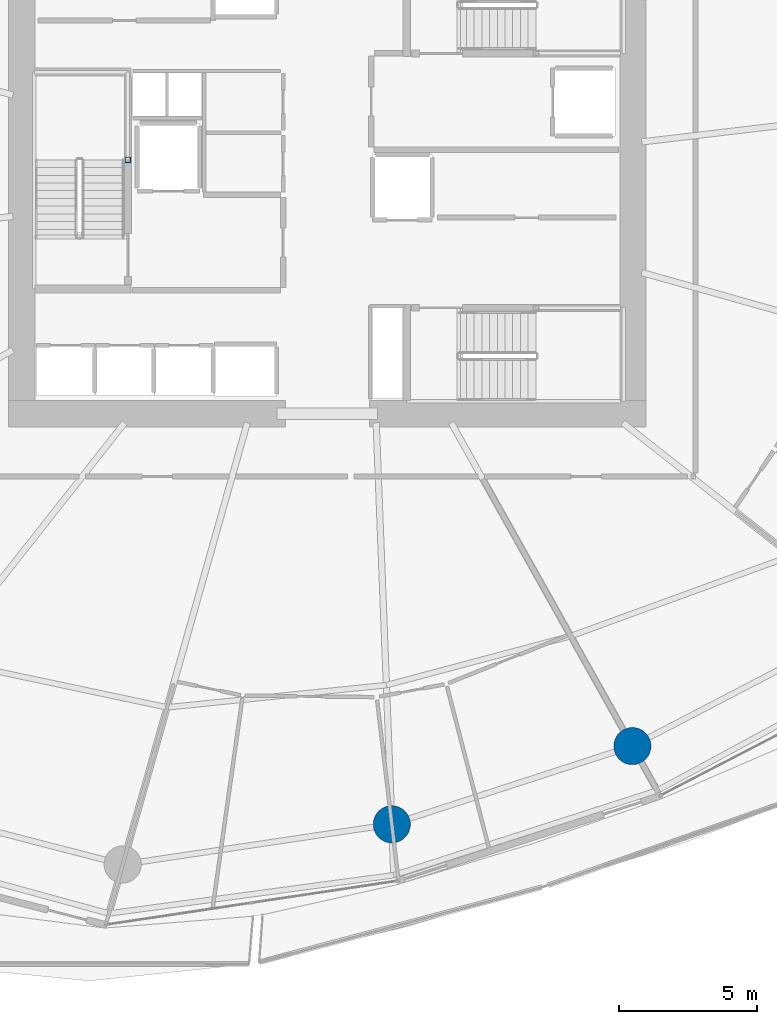
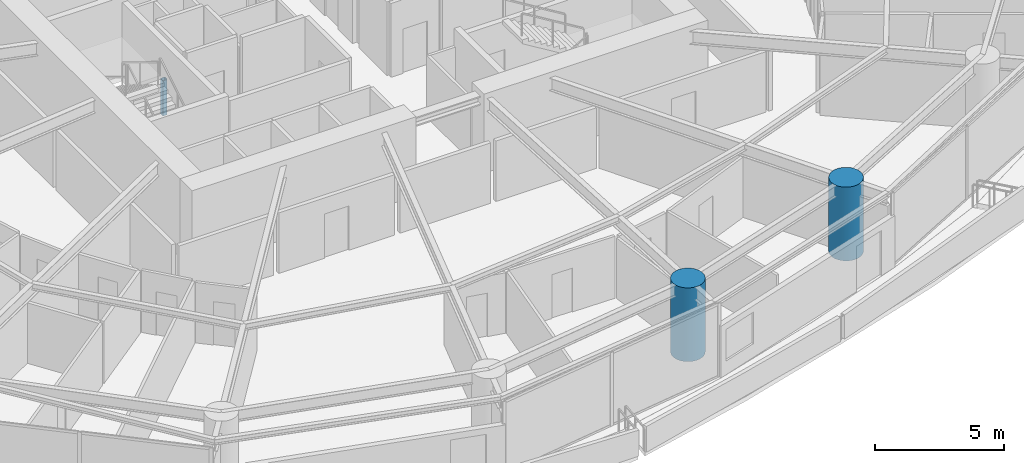
# One storey, part 2 of 31: 3 columns.
"""IFC4 building model written with IfcOpenShell, lengths in metres."""

from ifc_helpers import new_model, si_unit, direction, frame, origin, origin_2d, place, context, subcontext, project, spatial, hollow_rectangle, circle, extrude, material, material_profile, profile_set, type_object, element, save


model = new_model("IFC4")

# Units and contexts
model_context = context("Model", 3, precision=1e-05, world=origin(), true_north=direction((0.0, 1.0)))
body_context = subcontext(model_context, "Body", "Model", "MODEL_VIEW")
ifc_project = project(units=[si_unit("LENGTHUNIT", "METRE"), si_unit("AREAUNIT", "SQUARE_METRE"), si_unit("VOLUMEUNIT", "CUBIC_METRE"), si_unit("PLANEANGLEUNIT", "RADIAN"), si_unit("MASSUNIT", "GRAM", prefix="KILO")], contexts=[model_context])

# Site, building, storey
site_placement = place(None, origin())
site = spatial("IfcSite", under=ifc_project, at=site_placement, CompositionType="ELEMENT")
building_placement = place(site_placement, origin())
building = spatial("IfcBuilding", under=site, at=building_placement, Name="Kazma Halo Residences", CompositionType="ELEMENT")
storey_placement = place(building_placement, frame((0.0, 0.0, 60.14990234375)))
storey = spatial("IfcBuildingStorey", under=building, at=storey_placement, Name="L14", CompositionType="ELEMENT", Elevation=60.14990234375)

# Columns
ifc_material_1 = material(Name="Steel S355", Category="steel")
ifc_material_profile_1 = material_profile(ifc_material_1, hollow_rectangle(XDim=0.199951171875, YDim=0.199951171875, WallThickness=0.010009765625, InnerFilletRadius=0.010009765625, OuterFilletRadius=0.02001953125, at=origin_2d()), Name="SHS200x200x10")
ifc_profile_set_1 = profile_set([ifc_material_profile_1], Name="Steel S355")
column_type_1 = type_object("IfcColumnType", Name="COL-LP-SHS200", PredefinedType="COLUMN", material=ifc_profile_set_1)
column_placement = place(storey_placement, frame((41.179931640625, 42.75, 0.0), z_axis=(0.0, 0.0, 1.0), x_axis=(1.0, 0.0, 0.0)))
element("IfcColumn", 1, at=column_placement, inside=storey, type_object=column_type_1, Name="L14 ST-01 landing pilaster 1", PredefinedType="COLUMN", context=body_context, shape_type="SweptSolid", body=[
    extrude(hollow_rectangle(XDim=0.199951171875, YDim=0.199951171875, WallThickness=0.010009765625, InnerFilletRadius=0.010009765625, OuterFilletRadius=0.02001953125, at=origin_2d()), origin(), (0.0, 0.0, 1.0), 1.670166015625),
])
ifc_material_2 = material(Name="Concrete C80/95", Category="concrete")
ifc_material_profile_2 = material_profile(ifc_material_2, circle(Radius=0.675048828125, at=origin_2d()), Name="CIRC1350")
ifc_profile_set_2 = profile_set([ifc_material_profile_2], Name="Concrete C80/95")
column_type_2 = type_object("IfcColumnType", Name="COL-PERIM-1350", PredefinedType="COLUMN", material=ifc_profile_set_2)
for number, where, z_axis, x_axis, name in (
    (2, (50.768310546875, 18.610595703125, 0.0), (0.0, 0.0, 1.0), (1.0, 0.0, 0.0), "L14 perimeter ring column P12"),
    (3, (59.50830078125, 21.450439453125, 0.0), (0.0, 0.0, 1.0), (1.0, 0.0, 0.0), "L14 perimeter ring column P13"),
):
    element("IfcColumn", number, at=place(storey_placement, frame(where, z_axis=z_axis, x_axis=x_axis)), inside=storey, type_object=column_type_2, Name=name, PredefinedType="COLUMN", context=body_context, shape_type="SweptSolid", body=[
        extrude(circle(Radius=0.675048828125, at=origin_2d()), origin(), (0.0, 0.0, 1.0), 3.5),
    ])

save(model, "model.ifc")
